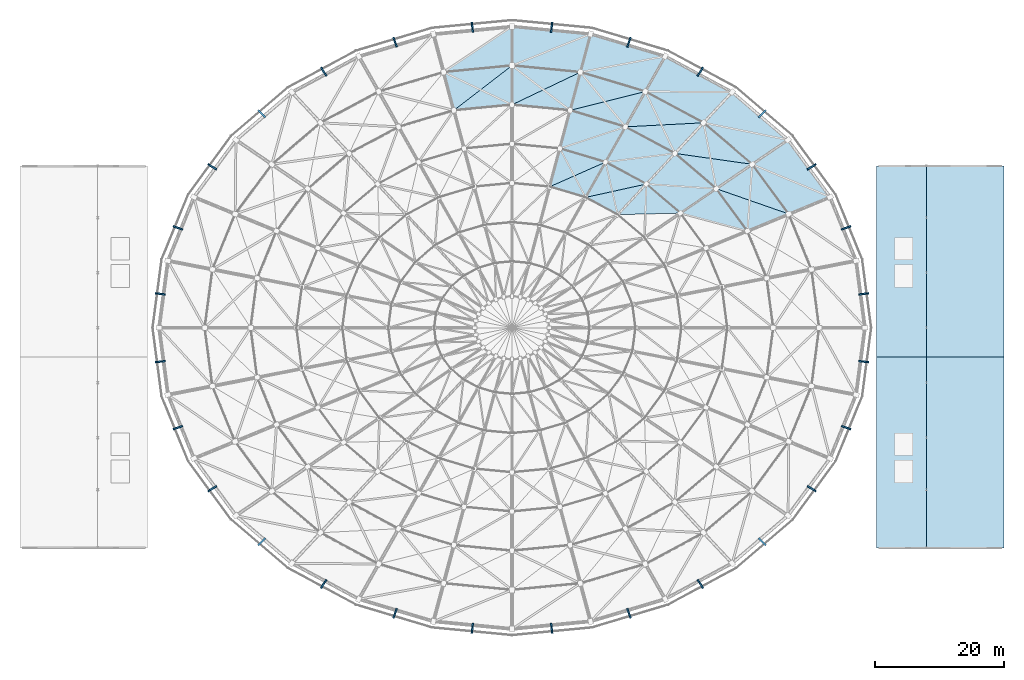
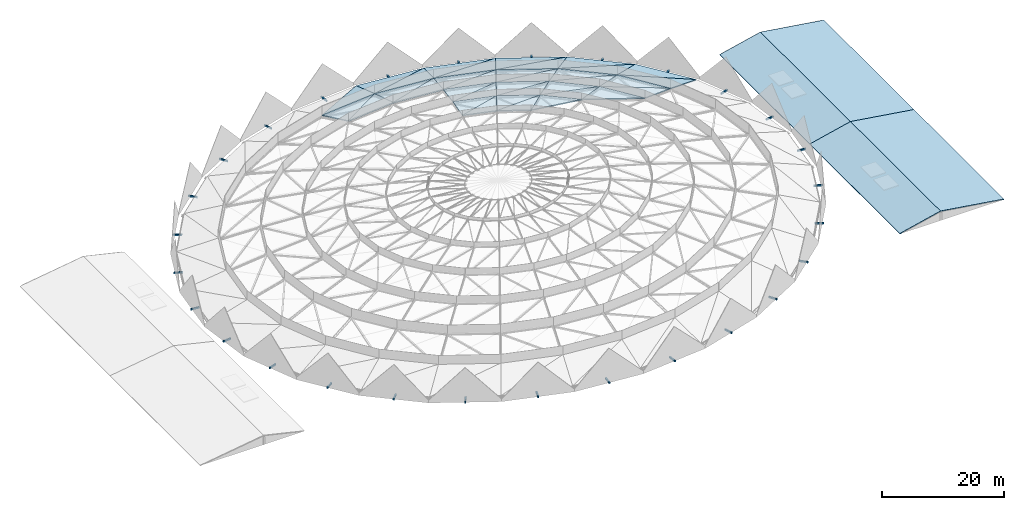
# One storey, part 23 of 27: 39 roofs, 28 discrete accessories.
"""IFC4 building model written with IfcOpenShell, lengths in metres."""

from ifc_helpers import new_model, si_unit, direction, frame, origin, origin_2d, place, context, subcontext, project, spatial, polyline, rectangle, outline, extrude, material, layer, layer_set, type_object, element, save


model = new_model("IFC4")

# Units and contexts
model_context = context("Model", 3, precision=1e-05, world=origin(), true_north=direction((0.0, 1.0)))
body_context = subcontext(model_context, "Body", "Model", "MODEL_VIEW")
ifc_project = project(units=[si_unit("LENGTHUNIT", "METRE"), si_unit("AREAUNIT", "SQUARE_METRE"), si_unit("VOLUMEUNIT", "CUBIC_METRE"), si_unit("PLANEANGLEUNIT", "RADIAN"), si_unit("MASSUNIT", "GRAM", prefix="KILO")], contexts=[model_context])

# Site, building, storey
site_placement = place(None, origin())
site = spatial("IfcSite", under=ifc_project, at=site_placement, CompositionType="ELEMENT")
building_placement = place(site_placement, origin())
building = spatial("IfcBuilding", under=site, at=building_placement, Name="Cuetzalor Civic Arena", CompositionType="ELEMENT")
storey_placement = place(building_placement, frame((0.0, 0.0, 31.800048828125)))
storey = spatial("IfcBuildingStorey", under=building, at=storey_placement, Name="Roof", CompositionType="ELEMENT", Elevation=31.800048828125)

# Roofs
ifc_material_1 = material(Name="Standing-seam acoustic zinc and steel deck", Category="steel")
ifc_layer_1 = layer(ifc_material_1, 0.179931640625)
ifc_layer_set_1 = layer_set([ifc_layer_1], Name="Standing-seam acoustic zinc and steel deck")
roof_type_1 = type_object("IfcRoofType", Name="ArenaDomeRoof_StandingSeam", PredefinedType="DOME_ROOF", material=ifc_layer_set_1)
roof_1_placement = place(storey_placement, frame((49.14794921875, 20.197265625, 0.4150390625), z_axis=(0.241912068226, 0.178128437048, 0.953807533605), x_axis=(-0.59293459696, 0.805250621687, 0.0)))
element("IfcRoof", 1, at=roof_1_placement, inside=storey, type_object=roof_type_1, Name="Arena Space-Frame Dome Shell Panel R1-S03A", PredefinedType="DOME_ROOF", context=body_context, shape_type="SweptSolid", body=[
    extrude(outline(polyline([(0.0, 0.0), (10.960776232010911, 0.0), (11.210093026302204, 7.026334440148478), (0.0, 0.0)])), origin(), (0.0, 0.0, -1.0), 0.179931640625),
])
roof_2_placement = place(storey_placement, frame((49.14794921875, 20.197265625, 0.4150390625), z_axis=(0.241908309468, 0.178118288843, 0.953810382094), x_axis=(-0.910307292041, 0.38194892217, 0.159548283945)))
element("IfcRoof", 2, at=roof_2_placement, inside=storey, type_object=roof_type_1, Name="Arena Space-Frame Dome Shell Panel R1-S03B", PredefinedType="DOME_ROOF", context=body_context, shape_type="SweptSolid", body=[
    extrude(outline(polyline([(0.0, 0.0), (13.230100578724482, -3.3306690738754696e-16), (5.150206529553152, 5.064580492905693), (0.0, 0.0)])), origin(), (0.0, 0.0, -1.0), 0.179931640625),
])
roof_3_placement = place(storey_placement, frame((42.64892578125, 29.0234375, 0.4150390625), z_axis=(0.201359462712, 0.23596092979, 0.950671765853), x_axis=(-0.760676878001, 0.649130716632, 0.0)))
element("IfcRoof", 3, at=roof_3_placement, inside=storey, type_object=roof_type_1, Name="Arena Space-Frame Dome Shell Panel R1-S04A", PredefinedType="DOME_ROOF", context=body_context, shape_type="SweptSolid", body=[
    extrude(outline(polyline([(0.0, 0.0), (11.35495428042528, 8.881784197001252e-16), (11.647218630977434, 6.804800539375681), (0.0, 0.0)])), origin(), (0.0, 0.0, -1.0), 0.179931640625),
])
roof_4_placement = place(storey_placement, frame((42.64892578125, 29.0234375, 0.4150390625), z_axis=(0.20136015288, 0.23596533563, 0.950670526109), x_axis=(-0.968101941657, 0.195683645414, 0.156481760844)))
element("IfcRoof", 4, at=roof_4_placement, inside=storey, type_object=roof_type_1, Name="Arena Space-Frame Dome Shell Panel R1-S04B", PredefinedType="DOME_ROOF", context=body_context, shape_type="SweptSolid", body=[
    extrude(outline(polyline([(0.0, 0.0), (13.489366635186226, 7.771561172376096e-16), (4.959580406022386, 4.983382056889791), (0.0, 0.0)])), origin(), (0.0, 0.0, -1.0), 0.179931640625),
])
roof_5_placement = place(storey_placement, frame((34.011474609375, 36.394287109375, 0.4150390625), z_axis=(0.151006616428, 0.281625079459, 0.947567578811), x_axis=(-0.881302704338, 0.472552159371, 0.0)))
element("IfcRoof", 5, at=roof_5_placement, inside=storey, type_object=roof_type_1, Name="Arena Space-Frame Dome Shell Panel R1-S05A", PredefinedType="DOME_ROOF", context=body_context, shape_type="SweptSolid", body=[
    extrude(outline(polyline([(0.0, 0.0), (11.736055644911866, 0.0), (11.871199836207012, 6.605551133073011), (0.0, 0.0)])), origin(), (0.0, 0.0, -1.0), 0.179931640625),
])
roof_6_placement = place(storey_placement, frame((34.011474609375, 36.394287109375, 0.4150390625), z_axis=(0.151006294052, 0.28163338629, 0.947565161286), x_axis=(-0.987831194569, 0.006882901825, 0.155377465221)))
element("IfcRoof", 6, at=roof_6_placement, inside=storey, type_object=roof_type_1, Name="Arena Space-Frame Dome Shell Panel R1-S05B", PredefinedType="DOME_ROOF", context=body_context, shape_type="SweptSolid", body=[
    extrude(outline(polyline([(0.0, 0.0), (13.585237992865768, 0.0), (4.663237444988494, 4.96436756928296), (0.0, 0.0)])), origin(), (0.0, 0.0, -1.0), 0.179931640625),
])
roof_7_placement = place(storey_placement, frame((23.66845703125, 41.940185546875, 0.4150390625), z_axis=(0.093496868588, 0.313139253442, 0.945093722081), x_axis=(-0.95820017042, 0.286098642791, 0.0)))
element("IfcRoof", 7, at=roof_7_placement, inside=storey, type_object=roof_type_1, Name="Arena Space-Frame Dome Shell Panel R1-S06A", PredefinedType="DOME_ROOF", context=body_context, shape_type="SweptSolid", body=[
    extrude(outline(polyline([(0.0, 0.0), (12.033006936139385, 4.440892098500626e-16), (11.857048439649862, 6.459129846469862), (0.0, 0.0)])), origin(), (0.0, 0.0, -1.0), 0.179931640625),
])
roof_8_placement = place(storey_placement, frame((23.66845703125, 41.940185546875, 0.4150390625), z_axis=(0.093501172981, 0.313121093345, 0.945099313064), x_axis=(-0.970796636078, -0.181972384904, 0.156332794106)))
element("IfcRoof", 8, at=roof_8_placement, inside=storey, type_object=roof_type_1, Name="Arena Space-Frame Dome Shell Panel R1-S06B", PredefinedType="DOME_ROOF", context=body_context, shape_type="SweptSolid", body=[
    extrude(outline(polyline([(0.0, 0.0), (13.502220412723272, -4.440892098500626e-16), (4.309226712494882, 5.008206751363556), (0.0, 0.0)])), origin(), (0.0, 0.0, -1.0), 0.179931640625),
])
roof_9_placement = place(storey_placement, frame((12.138427734375, 45.3828125, 0.4150390625), z_axis=(0.031654643714, 0.329185783482, 0.943734445427), x_axis=(-0.995408405496, 0.095718891906, 0.0)))
element("IfcRoof", 9, at=roof_9_placement, inside=storey, type_object=roof_type_1, Name="Arena Space-Frame Dome Shell Panel R1-S07A", PredefinedType="DOME_ROOF", context=body_context, shape_type="SweptSolid", body=[
    extrude(outline(polyline([(0.0, 0.0), (12.194419564224404, -2.220446049250313e-16), (11.615175381198226, 6.382862895541695), (0.0, 0.0)])), origin(), (0.0, 0.0, -1.0), 0.179931640625),
])
roof_10_placement = place(storey_placement, frame((12.138427734375, 45.3828125, 0.4150390625), z_axis=(0.031651400381, 0.329192828776, 0.943732096697), x_axis=(-0.915871104292, -0.368529481938, 0.159267514787)))
element("IfcRoof", 10, at=roof_10_placement, inside=storey, type_object=roof_type_1, Name="Arena Space-Frame Dome Shell Panel R1-S07B", PredefinedType="DOME_ROOF", context=body_context, shape_type="SweptSolid", body=[
    extrude(outline(polyline([(0.0, 0.0), (13.253423628605415, -1.1102230246251565e-16), (3.955521682350998, 5.1093216757702535), (0.0, 0.0)])), origin(), (0.0, 0.0, -1.0), 0.179931640625),
])
roof_11_placement = place(storey_placement, frame((0.0, 46.550048828125, 0.4150390625), z_axis=(-0.031650726914, 0.329185824334, 0.943734562546), x_axis=(-0.819850549154, -0.548626641294, 0.163871551877)))
element("IfcRoof", 11, at=roof_11_placement, inside=storey, type_object=roof_type_1, Name="Arena Space-Frame Dome Shell Panel R1-S08B", PredefinedType="DOME_ROOF", context=body_context, shape_type="SweptSolid", body=[
    extrude(outline(polyline([(0.0, 0.0), (12.881063366851588, 2.220446049250313e-16), (3.6659282215038456, 5.257131617301799), (0.0, 0.0)])), origin(), (0.0, 0.0, -1.0), 0.179931640625),
])
roof_12_placement = place(storey_placement, frame((42.758544921875, 17.571533203125, 2.52587890625), z_axis=(0.218978898799, 0.161235249969, 0.962315663412), x_axis=(-0.592918666159, 0.805262351858, 0.0)))
element("IfcRoof", 12, at=roof_12_placement, inside=storey, type_object=roof_type_1, Name="Arena Space-Frame Dome Shell Panel R2-S03A", PredefinedType="DOME_ROOF", context=body_context, shape_type="SweptSolid", body=[
    extrude(outline(polyline([(0.0, 0.0), (9.535966831682835, 0.0), (9.784809688573885, 6.964163700930357), (0.0, 0.0)])), origin(), (0.0, 0.0, -1.0), 0.179931640625),
])
roof_13_placement = place(storey_placement, frame((42.758544921875, 17.571533203125, 2.52587890625), z_axis=(0.218980106918, 0.161239165149, 0.962314732505), x_axis=(-0.932403451859, 0.325206907274, 0.157684084243)))
element("IfcRoof", 13, at=roof_13_placement, inside=storey, type_object=roof_type_1, Name="Arena Space-Frame Dome Shell Panel R2-S03B", PredefinedType="DOME_ROOF", context=body_context, shape_type="SweptSolid", body=[
    extrude(outline(polyline([(0.0, 0.0), (12.01008229343019, -2.220446049250313e-16), (5.402069994089722, 4.70304901075427), (0.0, 0.0)])), origin(), (0.0, 0.0, -1.0), 0.179931640625),
])
roof_14_placement = place(storey_placement, frame((37.1044921875, 25.25048828125, 2.52587890625), z_axis=(0.182372735597, 0.213714794855, 0.95972192419), x_axis=(-0.760681764148, 0.649124990809, 0.0)))
element("IfcRoof", 14, at=roof_14_placement, inside=storey, type_object=roof_type_1, Name="Arena Space-Frame Dome Shell Panel R2-S04A", PredefinedType="DOME_ROOF", context=body_context, shape_type="SweptSolid", body=[
    extrude(outline(polyline([(0.0, 0.0), (9.878833425064123, 0.0), (10.170802279271895, 6.740657494005858), (0.0, 0.0)])), origin(), (0.0, 0.0, -1.0), 0.179931640625),
])
roof_15_placement = place(storey_placement, frame((37.1044921875, 25.25048828125, 2.52587890625), z_axis=(0.182373248052, 0.213719798006, 0.959720712674), x_axis=(-0.978226571423, 0.137780081219, 0.155207680804)))
element("IfcRoof", 15, at=roof_15_placement, inside=storey, type_object=roof_type_1, Name="Arena Space-Frame Dome Shell Panel R2-S04B", PredefinedType="DOME_ROOF", context=body_context, shape_type="SweptSolid", body=[
    extrude(outline(polyline([(0.0, 0.0), (12.201708177773297, 3.3306690738754696e-16), (5.197534676563315, 4.641888851179399), (0.0, 0.0)])), origin(), (0.0, 0.0, -1.0), 0.179931640625),
])
roof_16_placement = place(storey_placement, frame((29.58984375, 31.6630859375, 2.52587890625), z_axis=(0.136850652014, 0.255232490704, 0.957145900442), x_axis=(-0.881308929079, 0.472540550139, 0.0)))
element("IfcRoof", 16, at=roof_16_placement, inside=storey, type_object=roof_type_1, Name="Arena Space-Frame Dome Shell Panel R2-S05A", PredefinedType="DOME_ROOF", context=body_context, shape_type="SweptSolid", body=[
    extrude(outline(polyline([(0.0, 0.0), (10.210143933327815, 0.0), (10.345485941991637, 6.53922160342957), (0.0, 0.0)])), origin(), (0.0, 0.0, -1.0), 0.179931640625),
])
roof_17_placement = place(storey_placement, frame((29.58984375, 31.6630859375, 2.52587890625), z_axis=(0.136851538381, 0.255222827379, 0.957148350481), x_axis=(-0.986624807157, -0.051266189939, 0.154736122708)))
element("IfcRoof", 17, at=roof_17_placement, inside=storey, type_object=roof_type_1, Name="Arena Space-Frame Dome Shell Panel R2-S05B", PredefinedType="DOME_ROOF", context=body_context, shape_type="SweptSolid", body=[
    extrude(outline(polyline([(0.0, 0.0), (12.23889286474502, -5.551115123125783e-17), (4.89785208068542, 4.640339886155995), (0.0, 0.0)])), origin(), (0.0, 0.0, -1.0), 0.179931640625),
])
roof_18_placement = place(storey_placement, frame((20.591552734375, 36.48779296875, 2.52587890625), z_axis=(0.084775310932, 0.283899519134, 0.955099057529), x_axis=(-0.95819201033, 0.286125971104, 0.0)))
element("IfcRoof", 18, at=roof_18_placement, inside=storey, type_object=roof_type_1, Name="Arena Space-Frame Dome Shell Panel R2-S06A", PredefinedType="DOME_ROOF", context=body_context, shape_type="SweptSolid", body=[
    extrude(outline(polyline([(0.0, 0.0), (10.468680338841297, 0.0), (10.29271181762074, 6.391778724452124), (0.0, 0.0)])), origin(), (0.0, 0.0, -1.0), 0.179931640625),
])
roof_19_placement = place(storey_placement, frame((20.591552734375, 36.48779296875, 2.52587890625), z_axis=(0.084771956999, 0.283910910704, 0.955095969047), x_axis=(-0.958174132353, -0.239729924767, 0.156307054419)))
element("IfcRoof", 19, at=roof_19_placement, inside=storey, type_object=roof_type_1, Name="Arena Space-Frame Dome Shell Panel R2-S06B", PredefinedType="DOME_ROOF", context=body_context, shape_type="SweptSolid", body=[
    extrude(outline(polyline([(0.0, 0.0), (12.115888404196715, -1.6653345369377348e-16), (4.551267356217712, 4.69741440478655), (0.0, 0.0)])), origin(), (0.0, 0.0, -1.0), 0.179931640625),
])
roof_20_placement = place(storey_placement, frame((10.560546875, 39.483154296875, 2.52587890625), z_axis=(0.02870417103, 0.298539942791, 0.953965394091), x_axis=(-0.995409535031, 0.095707144817, 0.0)))
element("IfcRoof", 20, at=roof_20_placement, inside=storey, type_object=roof_type_1, Name="Arena Space-Frame Dome Shell Panel R2-S07A", PredefinedType="DOME_ROOF", context=body_context, shape_type="SweptSolid", body=[
    extrude(outline(polyline([(0.0, 0.0), (10.609248257471279, 0.0), (10.0300751621164, 6.314416065473887), (0.0, 0.0)])), origin(), (0.0, 0.0, -1.0), 0.179931640625),
])
roof_21_placement = place(storey_placement, frame((10.560546875, 39.483154296875, 2.52587890625), z_axis=(0.028707632542, 0.298533413365, 0.953967333266), x_axis=(-0.8910211957, -0.424911809342, 0.159784802456)))
element("IfcRoof", 21, at=roof_21_placement, inside=storey, type_object=roof_type_1, Name="Arena Space-Frame Dome Shell Panel R2-S07B", PredefinedType="DOME_ROOF", context=body_context, shape_type="SweptSolid", body=[
    extrude(outline(polyline([(0.0, 0.0), (11.85218368089269, 3.885780586188048e-16), (4.215681275929966, 4.80768463634969), (0.0, 0.0)])), origin(), (0.0, 0.0, -1.0), 0.179931640625),
])
roof_22_placement = place(storey_placement, frame((0.0, 40.49853515625, 2.52587890625), z_axis=(-0.028703639915, 0.298534418886, 0.95396713874), x_axis=(-0.995409535031, -0.095707144817, 0.0)))
element("IfcRoof", 22, at=roof_22_placement, inside=storey, type_object=roof_type_1, Name="Arena Space-Frame Dome Shell Panel R2-S08A", PredefinedType="DOME_ROOF", context=body_context, shape_type="SweptSolid", body=[
    extrude(outline(polyline([(0.0, 0.0), (10.609248257471279, 1.1102230246251565e-16), (9.603030393018331, 6.314532903713079), (0.0, 0.0)])), origin(), (0.0, 0.0, -1.0), 0.179931640625),
])
roof_23_placement = place(storey_placement, frame((0.0, 40.49853515625, 2.52587890625), z_axis=(-0.028708257056, 0.298539907745, 0.953965282104), x_axis=(-0.781548586881, -0.601689598919, 0.164776918581)))
element("IfcRoof", 23, at=roof_23_placement, inside=storey, type_object=roof_type_1, Name="Arena Space-Frame Dome Shell Panel R2-S08B", PredefinedType="DOME_ROOF", context=body_context, shape_type="SweptSolid", body=[
    extrude(outline(polyline([(0.0, 0.0), (11.493107435385301, 5.551115123125783e-17), (3.953187169391751, 4.957782057135439), (0.0, 0.0)])), origin(), (0.0, 0.0, -1.0), 0.179931640625),
])
roof_24_placement = place(storey_placement, frame((36.369384765625, 14.946044921875, 4.419677734375), z_axis=(0.193812782855, 0.142707991802, 0.970603438217), x_axis=(-0.592925880885, 0.80525703957, 0.0)))
element("IfcRoof", 24, at=roof_24_placement, inside=storey, type_object=roof_type_1, Name="Arena Space-Frame Dome Shell Panel R3-S03A", PredefinedType="DOME_ROOF", context=body_context, shape_type="SweptSolid", body=[
    extrude(outline(polyline([(0.0, 0.0), (8.110764239317504, 0.0), (8.360008493564395, 6.9047493105629085), (0.0, 0.0)])), origin(), (0.0, 0.0, -1.0), 0.179931640625),
])
roof_25_placement = place(storey_placement, frame((31.560302734375, 21.477294921875, 4.419677734375), z_axis=(0.161508749662, 0.189269082624, 0.968551567107), x_axis=(-0.760688366944, 0.649117253195, 0.0)))
element("IfcRoof", 25, at=roof_25_placement, inside=storey, type_object=roof_type_1, Name="Arena Space-Frame Dome Shell Panel R3-S04A", PredefinedType="DOME_ROOF", context=body_context, shape_type="SweptSolid", body=[
    extrude(outline(polyline([(0.0, 0.0), (8.402712570459357, -8.881784197001252e-16), (8.6950914191066, 6.679176195566086), (0.0, 0.0)])), origin(), (0.0, 0.0, -1.0), 0.179931640625),
])
roof_26_placement = place(storey_placement, frame((31.560302734375, 21.477294921875, 4.419677734375), z_axis=(0.161508958194, 0.18927488791, 0.968550397878), x_axis=(-0.98624358082, 0.065954427129, 0.151570488003)))
element("IfcRoof", 26, at=roof_26_placement, inside=storey, type_object=roof_type_1, Name="Arena Space-Frame Dome Shell Panel R3-S04B", PredefinedType="DOME_ROOF", context=body_context, shape_type="SweptSolid", body=[
    extrude(outline(polyline([(0.0, 0.0), (10.964306153972437, 5.551115123125783e-17), (5.471209061379637, 4.219426163197006), (0.0, 0.0)])), origin(), (0.0, 0.0, -1.0), 0.179931640625),
])
roof_27_placement = place(storey_placement, frame((25.16845703125, 26.931640625, 4.419677734375), z_axis=(0.121269710112, 0.226163320167, 0.966511153593), x_axis=(-0.88130020339, 0.472556823572, 0.0)))
element("IfcRoof", 27, at=roof_27_placement, inside=storey, type_object=roof_type_1, Name="Arena Space-Frame Dome Shell Panel R3-S05A", PredefinedType="DOME_ROOF", context=body_context, shape_type="SweptSolid", body=[
    extrude(outline(polyline([(0.0, 0.0), (8.68467812024583, -4.440892098500626e-16), (8.819904555624657, 6.47586075398943), (0.0, 0.0)])), origin(), (0.0, 0.0, -1.0), 0.179931640625),
])
roof_28_placement = place(storey_placement, frame((25.16845703125, 26.931640625, 4.419677734375), z_axis=(0.12127053479, 0.226158126581, 0.966512265402), x_axis=(-0.980689754576, -0.12320817293, 0.151879397525)))
element("IfcRoof", 28, at=roof_28_placement, inside=storey, type_object=roof_type_1, Name="Arena Space-Frame Dome Shell Panel R3-S05B", PredefinedType="DOME_ROOF", context=body_context, shape_type="SweptSolid", body=[
    extrude(outline(polyline([(0.0, 0.0), (10.942005706240018, 1.1102230246251565e-16), (5.171573825020129, 4.2369451512758145), (0.0, 0.0)])), origin(), (0.0, 0.0, -1.0), 0.179931640625),
])
roof_29_placement = place(storey_placement, frame((17.5146484375, 31.03564453125, 4.419677734375), z_axis=(0.075153208241, 0.251696628809, 0.964883828415), x_axis=(-0.958198261041, 0.286105037598, 0.0)))
element("IfcRoof", 29, at=roof_29_placement, inside=storey, type_object=roof_type_1, Name="Arena Space-Frame Dome Shell Panel R3-S06A", PredefinedType="DOME_ROOF", context=body_context, shape_type="SweptSolid", body=[
    extrude(outline(polyline([(0.0, 0.0), (8.904447972211592, 4.440892098500626e-16), (8.728448735776274, 6.3266496067097435), (0.0, 0.0)])), origin(), (0.0, 0.0, -1.0), 0.179931640625),
])
roof_30_placement = place(storey_placement, frame((17.5146484375, 31.03564453125, 4.419677734375), z_axis=(0.075154759411, 0.251692433051, 0.964884802079), x_axis=(-0.937842043541, -0.310945672836, 0.154159300437)))
element("IfcRoof", 30, at=roof_30_placement, inside=storey, type_object=roof_type_1, Name="Arena Space-Frame Dome Shell Panel R3-S06B", PredefinedType="DOME_ROOF", context=body_context, shape_type="SweptSolid", body=[
    extrude(outline(polyline([(0.0, 0.0), (10.78018147245931, -7.216449660063518e-16), (4.8371641598140975, 4.3077722299230015), (0.0, 0.0)])), origin(), (0.0, 0.0, -1.0), 0.179931640625),
])
roof_31_placement = place(storey_placement, frame((26.015869140625, 17.704345703125, 6.08154296875), z_axis=(0.1383192588, 0.162098514522, 0.977032166428), x_axis=(-0.760697783839, 0.649106217551, 0.0)))
element("IfcRoof", 31, at=roof_31_placement, inside=storey, type_object=roof_type_1, Name="Arena Space-Frame Dome Shell Panel R4-S04A", PredefinedType="DOME_ROOF", context=body_context, shape_type="SweptSolid", body=[
    extrude(outline(polyline([(0.0, 0.0), (6.926591717094554, 4.440892098500626e-16), (7.218878698395609, 6.621034678241565), (0.0, 0.0)])), origin(), (0.0, 0.0, -1.0), 0.179931640625),
])
roof_32_placement = place(storey_placement, frame((20.746826171875, 22.200439453125, 6.08154296875), z_axis=(0.103914312912, 0.193790407322, 0.975524009752), x_axis=(-0.881294345533, 0.472567748086, 0.0)))
element("IfcRoof", 32, at=roof_32_placement, inside=storey, type_object=roof_type_1, Name="Arena Space-Frame Dome Shell Panel R4-S05A", PredefinedType="DOME_ROOF", context=body_context, shape_type="SweptSolid", body=[
    extrude(outline(polyline([(0.0, 0.0), (7.158881777953771, 0.0), (7.293915254207941, 6.416252619936059), (0.0, 0.0)])), origin(), (0.0, 0.0, -1.0), 0.179931640625),
])
roof_33_placement = place(storey_placement, frame((20.746826171875, 22.200439453125, 6.08154296875), z_axis=(0.103911204794, 0.193803022057, 0.975521834794), x_axis=(-0.966193466021, -0.213017448771, 0.145236884904)))
element("IfcRoof", 33, at=roof_33_placement, inside=storey, type_object=roof_type_1, Name="Arena Space-Frame Dome Shell Panel R4-S05B", PredefinedType="DOME_ROOF", context=body_context, shape_type="SweptSolid", body=[
    extrude(outline(polyline([(0.0, 0.0), (9.714396400106578, -2.498001805406602e-16), (5.484656437314487, 3.720494006787303), (0.0, 0.0)])), origin(), (0.0, 0.0, -1.0), 0.179931640625),
])
roof_34_placement = place(storey_placement, frame((14.437744140625, 25.58349609375, 6.08154296875), z_axis=(0.064426353343, 0.215763123354, 0.974317976636), x_axis=(-0.958195334565, 0.286114838515, 0.0)))
element("IfcRoof", 34, at=roof_34_placement, inside=storey, type_object=roof_type_1, Name="Arena Space-Frame Dome Shell Panel R4-S06A", PredefinedType="DOME_ROOF", context=body_context, shape_type="SweptSolid", body=[
    extrude(outline(polyline([(0.0, 0.0), (7.340051523204487, 0.0), (7.164153929231064, 6.265699726468808), (0.0, 0.0)])), origin(), (0.0, 0.0, -1.0), 0.179931640625),
])
roof_35_placement = place(storey_placement, frame((14.437744140625, 25.58349609375, 6.08154296875), z_axis=(0.064426882518, 0.215762003219, 0.974318189698), x_axis=(-0.904782441544, -0.399241152194, 0.148240466367)))
element("IfcRoof", 35, at=roof_35_placement, inside=storey, type_object=roof_type_1, Name="Arena Space-Frame Dome Shell Panel R4-S06B", PredefinedType="DOME_ROOF", context=body_context, shape_type="SweptSolid", body=[
    extrude(outline(polyline([(0.0, 0.0), (9.517567682133299, 0.0), (5.169899271938657, 3.8024562115235168), (0.0, 0.0)])), origin(), (0.0, 0.0, -1.0), 0.179931640625),
])
ifc_material_2 = material(Name="Standing-seam zinc roof assembly", Category="steel")
ifc_layer_2 = layer(ifc_material_2, 0.169921875)
ifc_layer_set_2 = layer_set([ifc_layer_2], Name="Standing-seam zinc roof assembly")
roof_type_2 = type_object("IfcRoofType", Name="CollarSlopedZincRoof", PredefinedType="GABLE_ROOF", material=ifc_layer_set_2)
roof_36_placement = place(storey_placement, frame((56.300048828125, -34.0, 0.0), z_axis=(-0.227636590633, 0.0, 0.973746159225), x_axis=(0.973746159225, 0.0, 0.227636590633)))
element("IfcRoof", 36, at=roof_36_placement, inside=storey, type_object=roof_type_2, Name="V4E Sloped Standing-Seam Zinc Roof Outer S", PredefinedType="GABLE_ROOF", context=body_context, shape_type="SweptSolid", body=[
    extrude(outline(polyline([(0.0, 0.0), (7.907554858038822, 0.0), (7.907554858038822, 29.5), (0.0, 29.5), (0.0, 0.0)])), origin(), (0.0, 0.0, -1.0), 0.169921875),
])
roof_37_placement = place(storey_placement, frame((64.0, -34.0, 1.800048828125), z_axis=(0.148344388372, 0.0, 0.988935762544), x_axis=(0.988935762544, 0.0, -0.148344388372)))
element("IfcRoof", 37, at=roof_37_placement, inside=storey, type_object=roof_type_2, Name="V4E Sloped Standing-Seam Zinc Roof Inner S", PredefinedType="GABLE_ROOF", context=body_context, shape_type="SweptSolid", body=[
    extrude(outline(polyline([(0.0, 0.0), (12.13425629297627, 0.0), (12.13425629297627, 29.500000000000007), (0.0, 29.500000000000007), (0.0, 0.0)])), origin(), (0.0, 0.0, -1.0), 0.169921875),
])
roof_38_placement = place(storey_placement, frame((56.300048828125, -4.5, 0.0), z_axis=(-0.227636590633, 0.0, 0.973746159225), x_axis=(0.973746159225, 0.0, 0.227636590633)))
element("IfcRoof", 38, at=roof_38_placement, inside=storey, type_object=roof_type_2, Name="V4E Sloped Standing-Seam Zinc Roof Outer N", PredefinedType="GABLE_ROOF", context=body_context, shape_type="SweptSolid", body=[
    extrude(outline(polyline([(0.0, 0.0), (7.907554858038822, 0.0), (7.907554858038822, 29.5), (0.0, 29.5), (0.0, 0.0)])), origin(), (0.0, 0.0, -1.0), 0.169921875),
])
roof_39_placement = place(storey_placement, frame((64.0, -4.5, 1.800048828125), z_axis=(0.148344388372, 0.0, 0.988935762544), x_axis=(0.988935762544, 0.0, -0.148344388372)))
element("IfcRoof", 39, at=roof_39_placement, inside=storey, type_object=roof_type_2, Name="V4E Sloped Standing-Seam Zinc Roof Inner N", PredefinedType="GABLE_ROOF", context=body_context, shape_type="SweptSolid", body=[
    extrude(outline(polyline([(0.0, 0.0), (12.13425629297627, 0.0), (12.13425629297627, 29.500000000000007), (0.0, 29.500000000000007), (0.0, 0.0)])), origin(), (0.0, 0.0, -1.0), 0.169921875),
])

# Discrete accessories
ifc_material_3 = material(Name="Steel S355", Category="steel")
discrete_accessory_type = type_object("IfcDiscreteAccessoryType", Name="ScreenOutriggerBracket_S355", PredefinedType="BRACKET", material=ifc_material_3)
for number, where, z_axis, x_axis, name in (
    (40, (54.335205078125, 5.23193359375, -0.14990234375), (0.0, 0.0, 1.0), (0.993709417943, 0.111989252568, 0.0), "Sawtooth Crest Outrigger Bracket S01"),
    (41, (51.610595703125, 15.43359375, -0.14990234375), (0.0, 0.0, 1.0), (0.943858622852, 0.330349663339, 0.0), "Sawtooth Crest Outrigger Bracket S02"),
    (42, (46.298095703125, 24.861572265625, -0.14990234375), (0.0, 0.0, 1.0), (0.846657866138, 0.532137630417, 0.0), "Sawtooth Crest Outrigger Bracket S03"),
    (43, (38.663818359375, 33.042724609375, -0.14990234375), (0.0, 0.0, 1.0), (0.707106781187, 0.707106781187, 0.0), "Sawtooth Crest Outrigger Bracket S04"),
    (44, (29.091064453125, 39.56689453125, -0.14990234375), (0.0, 0.0, 1.0), (0.531989852639, 0.84675072878, 0.0), "Sawtooth Crest Outrigger Bracket S05"),
    (45, (18.059326171875, 44.10693359375, -0.14990234375), (0.0, 0.0, 1.0), (0.330184923902, 0.943916265369, 0.0), "Sawtooth Crest Outrigger Bracket S06"),
    (46, (6.1220703125, 46.435546875, -0.14990234375), (0.0, 0.0, 1.0), (0.111989252568, 0.993709417943, 0.0), "Sawtooth Crest Outrigger Bracket S07"),
    (47, (-6.1220703125, 46.435546875, -0.14990234375), (0.0, 0.0, 1.0), (-0.111989252568, 0.993709417943, 0.0), "Sawtooth Crest Outrigger Bracket S08"),
    (48, (-18.059326171875, 44.10693359375, -0.14990234375), (0.0, 0.0, 1.0), (-0.330184923902, 0.943916265369, 0.0), "Sawtooth Crest Outrigger Bracket S09"),
    (49, (-29.091064453125, 39.56689453125, -0.14990234375), (0.0, 0.0, 1.0), (-0.531989852639, 0.84675072878, 0.0), "Sawtooth Crest Outrigger Bracket S10"),
    (50, (-38.663818359375, 33.042724609375, -0.14990234375), (0.0, 0.0, 1.0), (-0.707106781187, 0.707106781187, 0.0), "Sawtooth Crest Outrigger Bracket S11"),
    (51, (-46.298095703125, 24.861572265625, -0.14990234375), (0.0, 0.0, 1.0), (-0.846657866138, 0.532137630417, 0.0), "Sawtooth Crest Outrigger Bracket S12"),
    (52, (-51.610595703125, 15.43359375, -0.14990234375), (0.0, 0.0, 1.0), (-0.943858622852, 0.330349663339, 0.0), "Sawtooth Crest Outrigger Bracket S13"),
    (53, (-54.335205078125, 5.23193359375, -0.14990234375), (0.0, 0.0, 1.0), (-0.993709417943, 0.111989252568, 0.0), "Sawtooth Crest Outrigger Bracket S14"),
    (54, (-54.335205078125, -5.23193359375, -0.14990234375), (0.0, 0.0, 1.0), (-0.993709417943, -0.111989252568, 0.0), "Sawtooth Crest Outrigger Bracket S15"),
    (55, (-51.610595703125, -15.43359375, -0.14990234375), (0.0, 0.0, 1.0), (-0.943858622852, -0.330349663339, 0.0), "Sawtooth Crest Outrigger Bracket S16"),
    (56, (-46.298095703125, -24.861572265625, -0.14990234375), (0.0, 0.0, 1.0), (-0.846657866138, -0.532137630417, 0.0), "Sawtooth Crest Outrigger Bracket S17"),
    (57, (-38.663818359375, -33.042724609375, -0.14990234375), (0.0, 0.0, 1.0), (-0.707106781187, -0.707106781187, 0.0), "Sawtooth Crest Outrigger Bracket S18"),
    (58, (-29.091064453125, -39.56689453125, -0.14990234375), (0.0, 0.0, 1.0), (-0.531989852639, -0.84675072878, 0.0), "Sawtooth Crest Outrigger Bracket S19"),
    (59, (-18.059326171875, -44.10693359375, -0.14990234375), (0.0, 0.0, 1.0), (-0.330184923902, -0.943916265369, 0.0), "Sawtooth Crest Outrigger Bracket S20"),
    (60, (-6.1220703125, -46.435546875, -0.14990234375), (0.0, 0.0, 1.0), (-0.111989252568, -0.993709417943, 0.0), "Sawtooth Crest Outrigger Bracket S21"),
    (61, (6.1220703125, -46.435546875, -0.14990234375), (0.0, 0.0, 1.0), (0.111989252568, -0.993709417943, 0.0), "Sawtooth Crest Outrigger Bracket S22"),
    (62, (18.059326171875, -44.10693359375, -0.14990234375), (0.0, 0.0, 1.0), (0.330184923902, -0.943916265369, 0.0), "Sawtooth Crest Outrigger Bracket S23"),
    (63, (29.091064453125, -39.56689453125, -0.14990234375), (0.0, 0.0, 1.0), (0.531989852639, -0.84675072878, 0.0), "Sawtooth Crest Outrigger Bracket S24"),
    (64, (38.663818359375, -33.042724609375, -0.14990234375), (0.0, 0.0, 1.0), (0.707106781187, -0.707106781187, 0.0), "Sawtooth Crest Outrigger Bracket S25"),
    (65, (46.298095703125, -24.861572265625, -0.14990234375), (0.0, 0.0, 1.0), (0.846657866138, -0.532137630417, 0.0), "Sawtooth Crest Outrigger Bracket S26"),
    (66, (51.610595703125, -15.43359375, -0.14990234375), (0.0, 0.0, 1.0), (0.943858622852, -0.330349663339, 0.0), "Sawtooth Crest Outrigger Bracket S27"),
    (67, (54.335205078125, -5.23193359375, -0.14990234375), (0.0, 0.0, 1.0), (0.993709417943, -0.111989252568, 0.0), "Sawtooth Crest Outrigger Bracket S28"),
):
    element("IfcDiscreteAccessory", number, at=place(storey_placement, frame(where, z_axis=z_axis, x_axis=x_axis)), inside=storey, type_object=discrete_accessory_type, Name=name, PredefinedType="BRACKET", context=body_context, shape_type="SweptSolid", body=[
        extrude(rectangle(XDim=1.550048828125, YDim=0.260009765625, at=origin_2d()), origin(), (0.0, 0.0, 1.0), 0.300048828125),
    ])

save(model, "model.ifc")
